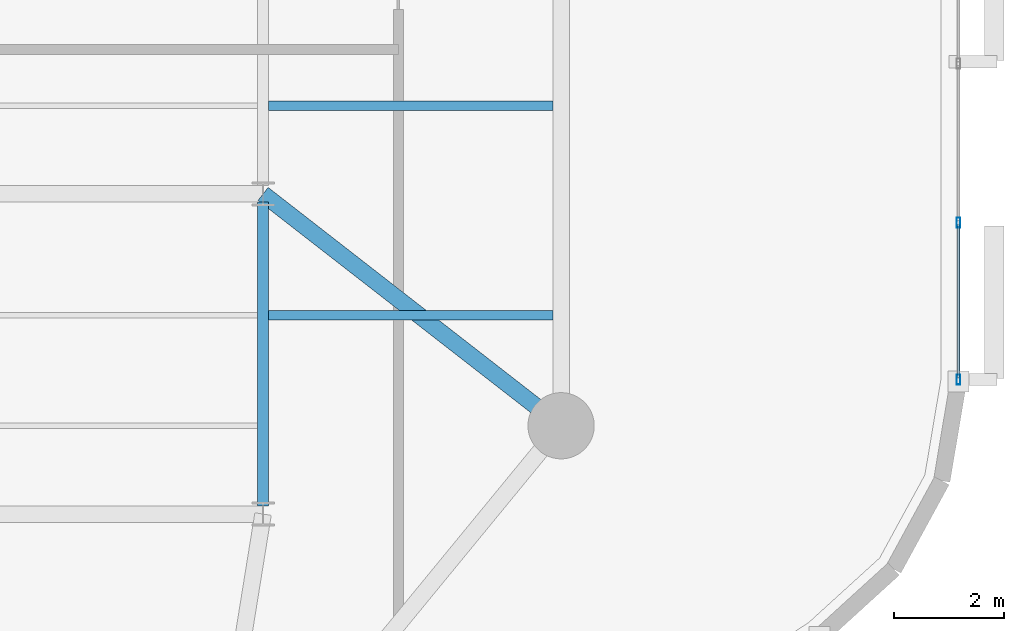
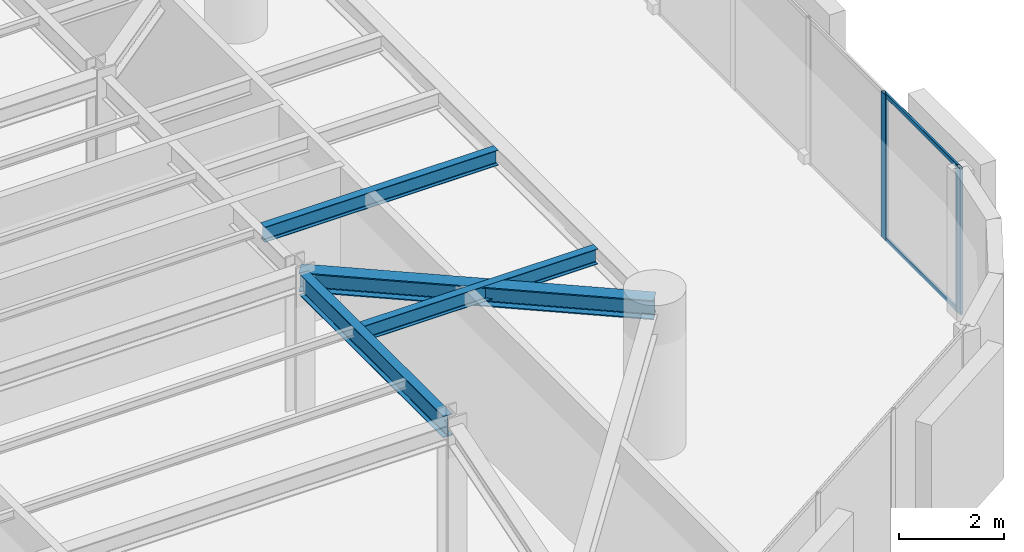
# One storey, part 3 of 14: 4 beams, 4 members, 1 element without a shape of its own.
"""IFC4 building model written with IfcOpenShell, lengths in metres."""

from ifc_helpers import new_model, si_unit, direction, frame, origin, origin_2d, place, context, subcontext, project, spatial, hollow_rectangle, i_section, extrude, material, layer, layer_set, material_profile, profile_set, type_object, element, aggregate, save


model = new_model("IFC4")

# Units and contexts
model_context = context("Model", 3, precision=1e-05, world=origin(), true_north=direction((0.0, 1.0)))
body_context = subcontext(model_context, "Body", "Model", "MODEL_VIEW")
ifc_project = project(units=[si_unit("LENGTHUNIT", "METRE"), si_unit("AREAUNIT", "SQUARE_METRE"), si_unit("VOLUMEUNIT", "CUBIC_METRE"), si_unit("PLANEANGLEUNIT", "RADIAN"), si_unit("MASSUNIT", "GRAM", prefix="KILO")], contexts=[model_context])

# Site, building, storey
site_placement = place(None, origin())
site = spatial("IfcSite", under=ifc_project, at=site_placement, CompositionType="ELEMENT")
building_placement = place(site_placement, origin())
building = spatial("IfcBuilding", under=site, at=building_placement, Name="An Khanh Terracotta Commons", CompositionType="ELEMENT")
storey_placement = place(building_placement, frame((0.0, 0.0, 158.199951171875)))
storey = spatial("IfcBuildingStorey", under=building, at=storey_placement, Name="L41", CompositionType="ELEMENT", Elevation=158.199951171875)

# Beams
ifc_material_1 = material(Name="Steel S355J2", Category="steel")
ifc_material_profile_1 = material_profile(ifc_material_1, i_section(OverallWidth=0.300048828125, OverallDepth=0.449951171875, WebThickness=0.013916015625, FlangeThickness=0.02587890625, FilletRadius=0.027099609375, at=origin_2d()), Name="HEB450")
ifc_profile_set_1 = profile_set([ifc_material_profile_1], Name="Steel S355J2")
beam_type_1 = type_object("IfcBeamType", Name="BM-HEB450", PredefinedType="BEAM", material=ifc_profile_set_1)
beam_1_placement = place(storey_placement, frame((55.800048828125, 16.0, 3.175048828125), z_axis=(-0.789363746927, 0.61392578952, 0.0), x_axis=(-0.61392578952, -0.789363746927, 0.0)))
element("IfcBeam", 1, at=beam_1_placement, inside=storey, type_object=beam_type_1, Name="L41 Mega-Column Tie Girder 3", PredefinedType="BEAM", context=body_context, shape_type="SweptSolid", body=[
    extrude(i_section(OverallWidth=0.300048828125, OverallDepth=0.449951171875, WebThickness=0.013916015625, FlangeThickness=0.02587890625, FilletRadius=0.027099609375, at=origin_2d()), origin(), (0.0, 0.0, 1.0), 6.841064453125),
])
ifc_material_profile_2 = material_profile(ifc_material_1, i_section(OverallWidth=0.169921875, OverallDepth=0.360107421875, WebThickness=0.008056640625, FlangeThickness=0.0126953125, FilletRadius=0.01806640625, at=origin_2d()), Name="IPE360")
ifc_profile_set_2 = profile_set([ifc_material_profile_2], Name="Steel S355J2")
beam_type_2 = type_object("IfcBeamType", Name="BM-IPE360", PredefinedType="JOIST", material=ifc_profile_set_2)
for number, where, z_axis, x_axis, name in (
    (2, (50.5, 18.0, 3.219970703125), (1.0, 0.0, 0.0), (0.0, 1.0, 0.0), "L41 Riverfront Composite Joist 2"),
    (3, (50.5, 21.800048828125, 3.219970703125), (1.0, 0.0, 0.0), (0.0, 1.0, 0.0), "L41 Riverfront Composite Joist 3"),
):
    element("IfcBeam", number, at=place(storey_placement, frame(where, z_axis=z_axis, x_axis=x_axis)), inside=storey, type_object=beam_type_2, Name=name, PredefinedType="JOIST", context=body_context, shape_type="SweptSolid", body=[
        extrude(i_section(OverallWidth=0.169921875, OverallDepth=0.360107421875, WebThickness=0.008056640625, FlangeThickness=0.0126953125, FilletRadius=0.01806640625, at=origin_2d()), origin(), (0.0, 0.0, 1.0), 5.14990234375),
    ])
ifc_material_profile_3 = material_profile(ifc_material_1, i_section(OverallWidth=0.199951171875, OverallDepth=0.5, WebThickness=0.01025390625, FlangeThickness=0.01611328125, FilletRadius=0.02099609375, at=origin_2d()), Name="IPE500")
ifc_profile_set_3 = profile_set([ifc_material_profile_3], Name="Steel S355J2")
beam_type_3 = type_object("IfcBeamType", Name="BM-IPE500", PredefinedType="BEAM", material=ifc_profile_set_3)
beam_2_placement = place(storey_placement, frame((50.39990234375, 14.550048828125, 3.150146484375), z_axis=(0.0, 1.0, 0.0), x_axis=(-1.0, 0.0, 0.0)))
element("IfcBeam", 4, at=beam_2_placement, inside=storey, type_object=beam_type_3, Name="L41 East Spine Girder 1", PredefinedType="BEAM", context=body_context, shape_type="SweptSolid", body=[
    extrude(i_section(OverallWidth=0.199951171875, OverallDepth=0.5, WebThickness=0.01025390625, FlangeThickness=0.01611328125, FilletRadius=0.02099609375, at=origin_2d()), origin(), (0.0, 0.0, 1.0), 5.5),
])

# Curtain wall, members
ifc_material_2 = material(Name="Anodised Aluminium 6063-T6", Category="aluminium")
ifc_layer = layer(ifc_material_2, 0.2099609375, Name="Anodised Aluminium 6063-T6")
ifc_layer_set = layer_set([ifc_layer], Name="Anodised Aluminium 6063-T6")
curtain_wall_type = type_object("IfcCurtainWallType", Name="CW-SYS-03", PredefinedType="USERDEFINED", material=ifc_layer_set)
curtain_wall_placement = place(storey_placement, origin())
curtain_wall = element("IfcCurtainWall", 5, at=curtain_wall_placement, inside=storey, type_object=curtain_wall_type, Name="L41 CW-03 Unitised Curtain Wall CW-L41-12", ObjectType="UNITISED CURTAIN WALL", PredefinedType="USERDEFINED")
ifc_material_profile_4 = material_profile(ifc_material_2, hollow_rectangle(XDim=0.070068359375, YDim=0.179931640625, WallThickness=0.00390625, InnerFilletRadius=0.00390625, OuterFilletRadius=0.008056640625, at=origin_2d()), Name="RHS180x70x4")
ifc_profile_set_4 = profile_set([ifc_material_profile_4], Name="Anodised Aluminium 6063-T6")
member_type_1 = type_object("IfcMemberType", Name="CWM-RHS180x70x4", PredefinedType="MULLION", material=ifc_profile_set_4)
member_1_placement = place(storey_placement, frame((63.0, 16.8349609375, 0.0), z_axis=(0.0, 0.0, 1.0), x_axis=(-1.0, 0.0, 0.0)))
member_1 = element("IfcMember", 6, at=member_1_placement, type_object=member_type_1, Name="CW-03 mullion 1", PredefinedType="MULLION", context=body_context, shape_type="SweptSolid", body=[
    extrude(hollow_rectangle(XDim=0.070068359375, YDim=0.179931640625, WallThickness=0.00390625, InnerFilletRadius=0.00390625, OuterFilletRadius=0.008056640625, at=origin_2d()), origin(), (0.0, 0.0, 1.0), 3.400146484375),
])
member_2_placement = place(storey_placement, frame((63.0, 19.679931640625, 0.0), z_axis=(0.0, 0.0, 1.0), x_axis=(-1.0, 0.0, 0.0)))
member_2 = element("IfcMember", 7, at=member_2_placement, type_object=member_type_1, Name="CW-03 mullion 2", PredefinedType="MULLION", context=body_context, shape_type="SweptSolid", body=[
    extrude(hollow_rectangle(XDim=0.070068359375, YDim=0.179931640625, WallThickness=0.00390625, InnerFilletRadius=0.00390625, OuterFilletRadius=0.008056640625, at=origin_2d()), origin(), (0.0, 0.0, 1.0), 3.400146484375),
])
ifc_material_profile_5 = material_profile(ifc_material_2, hollow_rectangle(XDim=0.050048828125, YDim=0.10009765625, WallThickness=0.003173828125, InnerFilletRadius=0.003173828125, OuterFilletRadius=0.00634765625, at=origin_2d()), Name="RHS100x50x3.2")
ifc_profile_set_5 = profile_set([ifc_material_profile_5], Name="Anodised Aluminium 6063-T6")
member_type_2 = type_object("IfcMemberType", Name="CWT-RHS100x50x3.2", PredefinedType="USERDEFINED", material=ifc_profile_set_5)
member_3_placement = place(storey_placement, frame((63.0, 16.8701171875, 0.025146484375), z_axis=(0.0, 1.0, 0.0), x_axis=(-1.0, 0.0, 0.0)))
member_3 = element("IfcMember", 8, at=member_3_placement, type_object=member_type_2, Name="CW-03 transom 1.1", ObjectType="TRANSOM", PredefinedType="USERDEFINED", context=body_context, shape_type="SweptSolid", body=[
    extrude(hollow_rectangle(XDim=0.050048828125, YDim=0.10009765625, WallThickness=0.003173828125, InnerFilletRadius=0.003173828125, OuterFilletRadius=0.00634765625, at=origin_2d()), origin(), (0.0, 0.0, 1.0), 2.77490234375),
])
member_4_placement = place(storey_placement, frame((63.0, 16.8701171875, 3.375), z_axis=(0.0, 1.0, 0.0), x_axis=(-1.0, 0.0, 0.0)))
member_4 = element("IfcMember", 9, at=member_4_placement, type_object=member_type_2, Name="CW-03 transom 1.2", ObjectType="TRANSOM", PredefinedType="USERDEFINED", context=body_context, shape_type="SweptSolid", body=[
    extrude(hollow_rectangle(XDim=0.050048828125, YDim=0.10009765625, WallThickness=0.003173828125, InnerFilletRadius=0.003173828125, OuterFilletRadius=0.00634765625, at=origin_2d()), origin(), (0.0, 0.0, 1.0), 2.77490234375),
])
aggregate(curtain_wall, [member_1, member_2, member_3, member_4])

save(model, "model.ifc")
